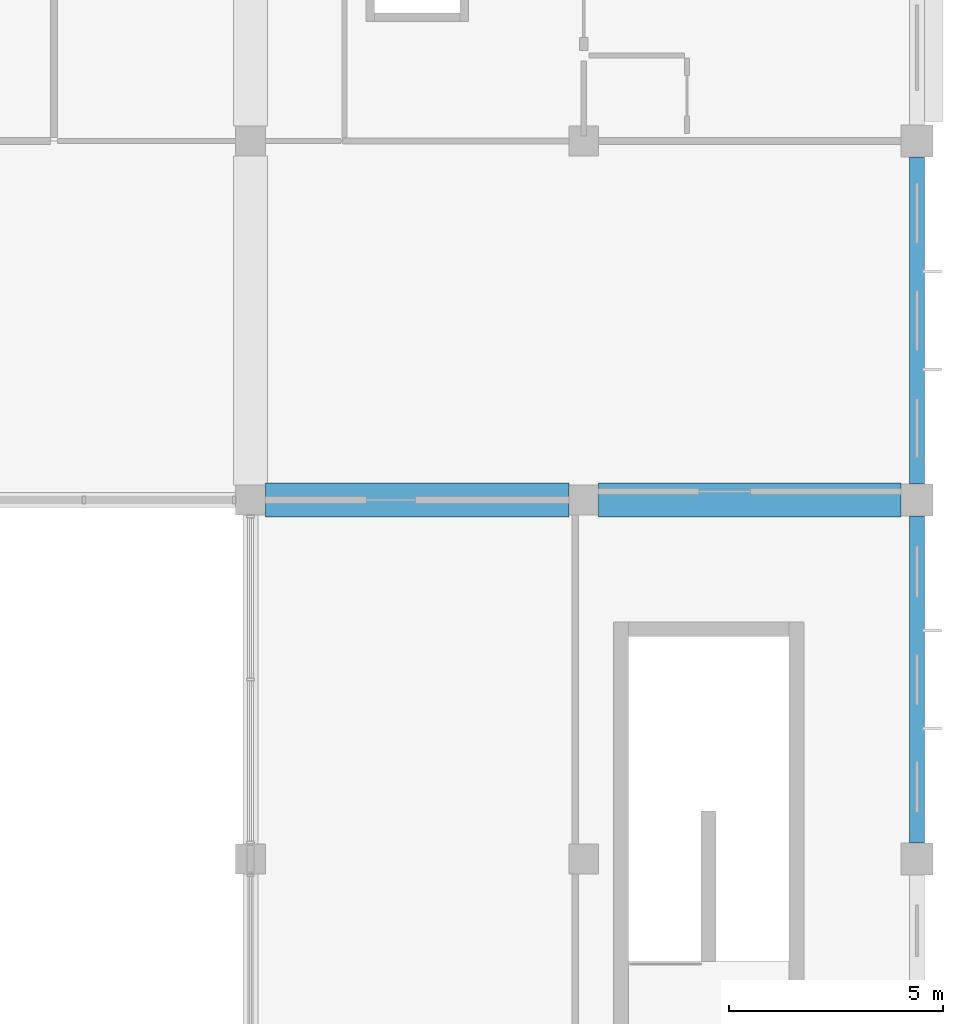
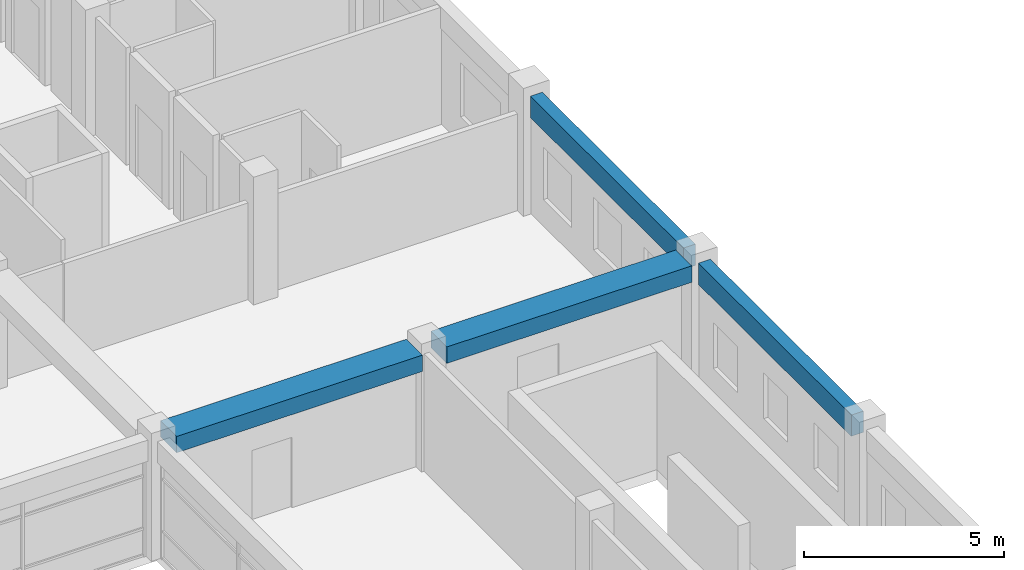
# One storey, part 32 of 72: 4 beams.
"""IFC4 building model written with IfcOpenShell, lengths in metres."""

from ifc_helpers import new_model, si_unit, direction, frame, origin, origin_2d, place, context, subcontext, project, spatial, rectangle, extrude, material, material_profile, profile_set, type_object, element, save


model = new_model("IFC4")

# Units and contexts
model_context = context("Model", 3, precision=1e-05, world=origin(), true_north=direction((0.0, 1.0)))
body_context = subcontext(model_context, "Body", "Model", "MODEL_VIEW")
ifc_project = project(units=[si_unit("LENGTHUNIT", "METRE"), si_unit("AREAUNIT", "SQUARE_METRE"), si_unit("VOLUMEUNIT", "CUBIC_METRE"), si_unit("PLANEANGLEUNIT", "RADIAN"), si_unit("MASSUNIT", "GRAM", prefix="KILO"), si_unit("THERMODYNAMICTEMPERATUREUNIT", "KELVIN"), si_unit("POWERUNIT", "WATT")], contexts=[model_context])

# Site, building, storey
site_placement = place(None, origin())
site = spatial("IfcSite", under=ifc_project, at=site_placement, CompositionType="ELEMENT")
building_placement = place(site_placement, origin())
building = spatial("IfcBuilding", under=site, at=building_placement, Name="Srebrne Nadtorze General Hospital", CompositionType="ELEMENT")
storey_placement = place(building_placement, frame((0.0, 0.0, 22.199951171875)))
storey = spatial("IfcBuildingStorey", under=building, at=storey_placement, Name="L05", CompositionType="ELEMENT", Elevation=22.199951171875)

# Beams
ifc_material_1 = material(Name="Concrete C35/45", Category="concrete")
ifc_material_profile_1 = material_profile(ifc_material_1, rectangle(XDim=0.35009765625, YDim=0.64990234375, at=origin_2d()), Name="RC-BM-350x650")
ifc_profile_set_1 = profile_set([ifc_material_profile_1], Name="Concrete C35/45")
beam_type_1 = type_object("IfcBeamType", Name="Edge beam RC 350x650", PredefinedType="BEAM", material=ifc_profile_set_1)
beam_1_placement = place(storey_placement, frame((148.199951171875, 17.175048828125, 3.275146484375), z_axis=(0.0, 1.0, 0.0), x_axis=(-1.0, 0.0, 0.0)))
element("IfcBeam", 1, at=beam_1_placement, inside=storey, type_object=beam_type_1, Name="Beam BM-L05-Y-1127", PredefinedType="BEAM", context=body_context, shape_type="SweptSolid", body=[
    extrude(rectangle(XDim=0.35009765625, YDim=0.64990234375, at=origin_2d()), origin(), (0.0, 0.0, 1.0), 7.64990234375),
])
beam_2_placement = place(storey_placement, frame((148.199951171875, 25.574951171875, 3.275146484375), z_axis=(0.0, 1.0, 0.0), x_axis=(-1.0, 0.0, 0.0)))
element("IfcBeam", 2, at=beam_2_placement, inside=storey, type_object=beam_type_1, Name="Beam BM-L05-Y-1128", PredefinedType="BEAM", context=body_context, shape_type="SweptSolid", body=[
    extrude(rectangle(XDim=0.35009765625, YDim=0.64990234375, at=origin_2d()), origin(), (0.0, 0.0, 1.0), 7.650146484375),
])
ifc_material_2 = material(Name="Concrete C40/50", Category="concrete")
ifc_material_profile_2 = material_profile(ifc_material_2, rectangle(XDim=0.800048828125, YDim=0.5, at=origin_2d()), Name="RC-BM-800x500")
ifc_profile_set_2 = profile_set([ifc_material_profile_2], Name="Concrete C40/50")
beam_type_2 = type_object("IfcBeamType", Name="Primary beam RC 800x500", PredefinedType="BEAM", material=ifc_profile_set_2)
beam_3_placement = place(storey_placement, frame((132.949951171875, 25.199951171875, 3.35009765625), z_axis=(1.0, 0.0, 0.0), x_axis=(0.0, 1.0, 0.0)))
element("IfcBeam", 3, at=beam_3_placement, inside=storey, type_object=beam_type_2, Name="Beam BM-L05-X-1016", PredefinedType="BEAM", context=body_context, shape_type="SweptSolid", body=[
    extrude(rectangle(XDim=0.800048828125, YDim=0.5, at=origin_2d()), origin(), (0.0, 0.0, 1.0), 7.10009765625),
])
beam_4_placement = place(storey_placement, frame((140.75, 25.199951171875, 3.35009765625), z_axis=(1.0, 0.0, 0.0), x_axis=(0.0, 1.0, 0.0)))
element("IfcBeam", 4, at=beam_4_placement, inside=storey, type_object=beam_type_2, Name="Beam BM-L05-X-1017", PredefinedType="BEAM", context=body_context, shape_type="SweptSolid", body=[
    extrude(rectangle(XDim=0.800048828125, YDim=0.5, at=origin_2d()), origin(), (0.0, 0.0, 1.0), 7.074951171875),
])

save(model, "model.ifc")
